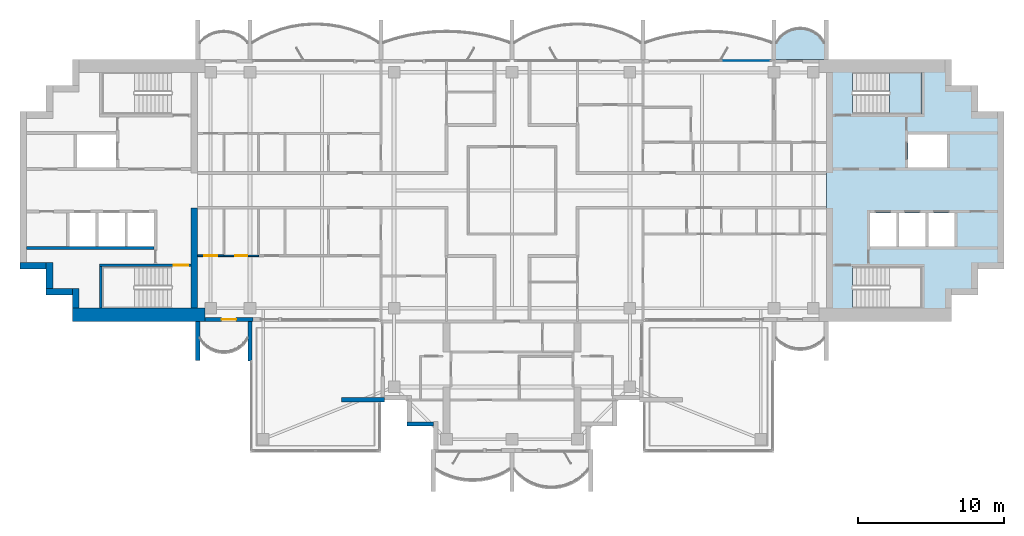
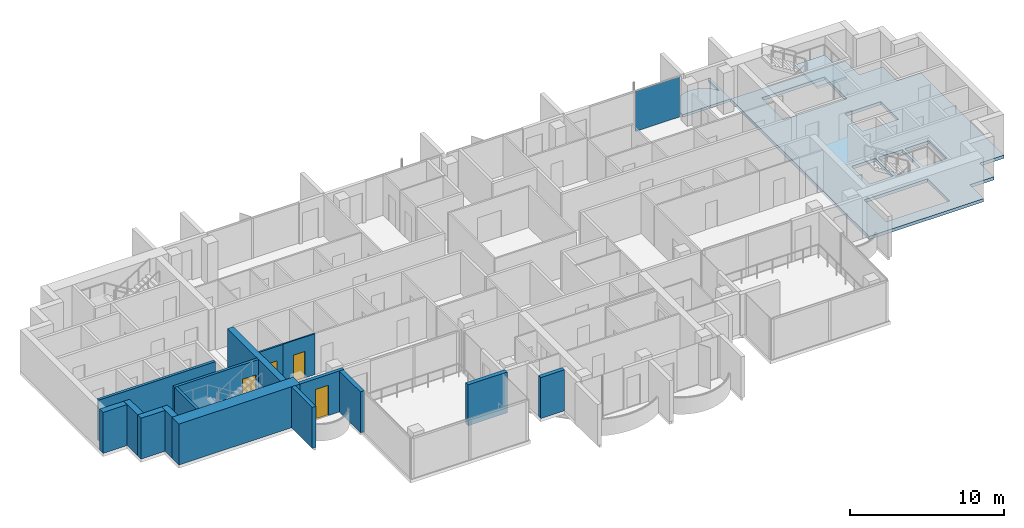
# One storey, part 6 of 16: 16 walls, 4 doors, 3 slabs, 1 plate, 4 openings, 2 elements without a shape of their own.
"""IFC4 building model written with IfcOpenShell, lengths in metres."""

from ifc_helpers import new_model, si_unit, direction, frame, frame_2d, origin, origin_2d, place, context, subcontext, project, spatial, polyline, rectangle, outline, extrude, material, layer, layer_set, type_object, element, fill, aggregate, save


model = new_model("IFC4")

# Units and contexts
model_context = context("Model", 3, precision=1e-05, world=origin(), true_north=direction((0.0, 1.0)))
body_context = subcontext(model_context, "Body", "Model", "MODEL_VIEW")
ifc_project = project(units=[si_unit("LENGTHUNIT", "METRE"), si_unit("AREAUNIT", "SQUARE_METRE"), si_unit("VOLUMEUNIT", "CUBIC_METRE"), si_unit("PLANEANGLEUNIT", "RADIAN"), si_unit("MASSUNIT", "GRAM", prefix="KILO")], contexts=[model_context])

# Site, building, storey
site_placement = place(None, origin())
site = spatial("IfcSite", under=ifc_project, at=site_placement, CompositionType="ELEMENT")
building_placement = place(site_placement, origin())
building = spatial("IfcBuilding", under=site, at=building_placement, Name="Perihelion Cross Residences", CompositionType="ELEMENT")
storey_placement = place(building_placement, frame((0.0, 0.0, 274.5)))
storey = spatial("IfcBuildingStorey", under=building, at=storey_placement, Name="L70", CompositionType="ELEMENT", Elevation=274.5)

# Slab
ifc_material_1 = material(Name="Concrete C40/50", Category="concrete")
ifc_layer_1 = layer(ifc_material_1, 0.199951171875)
ifc_layer_set_1 = layer_set([ifc_layer_1], Name="Balcony slab 200")
slab_type_1 = type_object("IfcSlabType", Name="Balcony slab 200", PredefinedType="FLOOR", material=ifc_layer_set_1)
slab_1_placement = place(storey_placement, frame((0.0, 0.0, -0.199951171875)))
element("IfcSlab", 1, at=slab_1_placement, inside=storey, type_object=slab_type_1, Name="Slab BK1 L70 east side north bay 1 balcony", PredefinedType="FLOOR", context=body_context, shape_type="SweptSolid", body=[
    extrude(outline(polyline([(21.60009765625, 9.0), (18.0, 9.0), (18.0, 11.699951171875), (18.14990234375, 11.699951171875), (18.14990234375, 10.199951171875), (18.425048828125, 10.568603515625), (18.699951171875, 10.806396484375), (18.97509765625, 10.96875), (19.25, 11.07568359375), (19.52490234375, 11.136962890625), (19.800048828125, 11.156982421875), (20.074951171875, 11.136962890625), (20.35009765625, 11.07568359375), (20.625, 10.96875), (20.89990234375, 10.806396484375), (21.175048828125, 10.568603515625), (21.449951171875, 10.199951171875), (21.449951171875, 11.699951171875), (21.60009765625, 11.699951171875), (21.60009765625, 9.0)])), origin(), (0.0, 0.0, 1.0), 0.199951171875),
])

# Curtain wall, plate
ifc_material_2 = material(Name="Bronze anodised aluminium, tinted glazing", Category="aluminium")
curtain_wall_type = type_object("IfcCurtainWallType", Name="CW1", PredefinedType="NOTDEFINED", material=ifc_material_2)
curtain_wall_placement = place(storey_placement, origin())
curtain_wall = element("IfcCurtainWall", 2, at=curtain_wall_placement, inside=storey, type_object=curtain_wall_type, Name="Curtain wall CW1 L70 east side north bay 2", PredefinedType="NOTDEFINED")
ifc_material_3 = material(Name="Tinted laminated glass", Category="glass")
ifc_layer_2 = layer(ifc_material_3, 0.028076171875)
ifc_layer_set_2 = layer_set([ifc_layer_2], Name="CW1 panel")
plate_type = type_object("IfcPlateType", Name="CW1 panel", PredefinedType="CURTAIN_PANEL", material=ifc_layer_set_2)
plate_placement = place(storey_placement, frame((16.06005859375, 8.89990234375, 0.0), z_axis=(0.0, 0.0, 1.0), x_axis=(-1.0, 0.0, 0.0)))
plate = element("IfcPlate", 3, at=plate_placement, type_object=plate_type, Name="CW1 panel 1", PredefinedType="CURTAIN_PANEL", context=body_context, shape_type="SweptSolid", body=[
    extrude(rectangle(XDim=3.360107421875, YDim=0.028076171875, at=origin_2d()), origin(), (0.0, 0.0, 1.0), 3.18994140625),
])
aggregate(curtain_wall, [plate])

# Slab
ifc_material_4 = material(Name="Concrete C40/50", Category="concrete")
ifc_layer_3 = layer(ifc_material_4, 0.25)
ifc_layer_set_3 = layer_set([ifc_layer_3], Name="Core floor slab 250")
slab_type_2 = type_object("IfcSlabType", Name="Core floor slab 250", PredefinedType="FLOOR", material=ifc_layer_set_3)
slab_2_placement = place(storey_placement, frame((0.0, 0.0, -0.25)))
element("IfcSlab", 4, at=slab_2_placement, inside=storey, type_object=slab_type_2, Name="East core floor slab", PredefinedType="FLOOR", context=body_context, shape_type="SweptSolid", body=[
    extrude(outline(polyline([(30.199951171875, 7.199951171875), (32.0, 7.199951171875), (32.0, 5.39990234375), (33.800048828125, 5.39990234375), (33.800048828125, -5.39990234375), (32.0, -5.39990234375), (32.0, -7.199951171875), (30.199951171875, -7.199951171875), (30.199951171875, -9.0), (21.60009765625, -9.0), (21.60009765625, 9.0), (30.199951171875, 9.0), (30.199951171875, 7.199951171875)]), holes=[polyline([(28.14990234375, -8.10009765625), (28.14990234375, -5.25), (23.405029296875, -5.25), (23.405029296875, -8.10009765625), (28.14990234375, -8.10009765625)]), polyline([(24.60009765625, -1.550048828125), (24.60009765625, -3.85009765625), (26.39990234375, -3.85009765625), (26.39990234375, -1.550048828125), (24.60009765625, -1.550048828125)]), polyline([(26.60009765625, -1.550048828125), (26.60009765625, -3.85009765625), (28.39990234375, -3.85009765625), (28.39990234375, -1.550048828125), (26.60009765625, -1.550048828125)]), polyline([(28.60009765625, -3.85009765625), (30.39990234375, -3.85009765625), (30.39990234375, -1.550048828125), (28.60009765625, -1.550048828125), (28.60009765625, -3.85009765625)]), polyline([(27.199951171875, 3.85009765625), (27.199951171875, 1.550048828125), (29.89990234375, 1.550048828125), (29.89990234375, 3.85009765625), (27.199951171875, 3.85009765625)]), polyline([(23.405029296875, 5.25), (28.14990234375, 5.25), (28.14990234375, 8.10009765625), (23.405029296875, 8.10009765625), (23.405029296875, 5.25)])]), origin(), (0.0, 0.0, 1.0), 0.25),
])

# Stair, slab
ifc_material_5 = material(Name="Concrete C40/50", Category="concrete")
stair_type = type_object("IfcStairType", Name="Exit stair, half-turn", PredefinedType="HALF_TURN_STAIR", material=ifc_material_5)
stair_placement = place(storey_placement, origin())
stair = element("IfcStair", 5, at=stair_placement, inside=storey, type_object=stair_type, Name="L70 East core exit stair 1", PredefinedType="HALF_TURN_STAIR")
ifc_material_6 = material(Name="Concrete C40/50", Category="concrete")
ifc_layer_4 = layer(ifc_material_6, 0.199951171875)
ifc_layer_set_4 = layer_set([ifc_layer_4], Name="Exit stair landing 200")
slab_type_3 = type_object("IfcSlabType", Name="Exit stair landing 200", PredefinedType="LANDING", material=ifc_layer_set_4)
slab_3_placement = place(storey_placement, frame((0.0, 0.0, 1.550048828125)))
slab_3 = element("IfcSlab", 6, at=slab_3_placement, type_object=slab_type_3, Name="ST-E1 landing 1", PredefinedType="LANDING", context=body_context, shape_type="SweptSolid", body=[
    extrude(outline(polyline([(25.919921875, 5.25), (28.14990234375, 5.25), (28.14990234375, 8.10009765625), (25.919921875, 8.10009765625), (25.919921875, 5.25)])), origin(), (0.0, 0.0, 1.0), 0.199951171875),
])
aggregate(stair, [slab_3])

# Wall, opening, door
ifc_material_7 = material(Name="Concrete C30/37, bronze-clad", Category="concrete")
ifc_layer_5 = layer(ifc_material_7, 0.25)
ifc_layer_set_5 = layer_set([ifc_layer_5], Name="Bronze-clad pier wall 250")
wall_type_1 = type_object("IfcWallType", Name="Bronze-clad pier wall 250", PredefinedType="SOLIDWALL", material=ifc_layer_set_5)
wall_1_placement = place(storey_placement, frame((-21.10009765625, -8.875, 0.0), z_axis=(0.0, 0.0, 1.0), x_axis=(1.0, 0.0, 0.0)))
wall_1 = element("IfcWall", 7, at=wall_1_placement, inside=storey, type_object=wall_type_1, Name="Wall FW1 L70 west side south bay 1 pier", PredefinedType="SOLIDWALL", context=body_context, shape_type="SweptSolid", body=[
    extrude(rectangle(XDim=3.300048828125, YDim=0.25, at=frame_2d((1.64990234375, 0.0))), origin(), (0.0, 0.0, 1.0), 3.25),
])
opening_1_placement = place(wall_1_placement, frame((1.14990234375, 0.0, 0.0)))
opening_1 = element("IfcOpeningElement", 8, at=opening_1_placement, cuts=wall_1, Name="Opening L70.E07", PredefinedType="OPENING", context=body_context, shape_type="SweptSolid", body=[
    extrude(rectangle(XDim=1.0, YDim=2.39990234375, at=frame_2d((0.5, 1.199951171875))), frame((0.0, 0.135009765625, 0.0), z_axis=(0.0, -1.0, 0.0), x_axis=(1.0, 0.0, 0.0)), (0.0, 0.0, 1.0), 0.27001953125),
])
ifc_material_8 = material(Name="Bronze anodised aluminium, glazed", Category="aluminium")
door_type_1 = type_object("IfcDoorType", Name="Balcony door 1000 x 2400", OperationType="NOTDEFINED", PredefinedType="DOOR", material=ifc_material_8)
door_1_placement = place(opening_1_placement, origin())
door_1 = element("IfcDoor", 9, at=door_1_placement, inside=storey, type_object=door_type_1, Name="Door L70.E07 west side south bay 1", OperationType="SINGLE_SWING_LEFT", OverallHeight=2.39990234375, OverallWidth=1.0, PredefinedType="DOOR", context=body_context, shape_type="SweptSolid", body=[
    extrude(rectangle(XDim=1.0, YDim=2.39990234375, at=frame_2d((0.5, 1.199951171875))), frame((0.0, 0.02490234375, 0.0), z_axis=(0.0, -1.0, 0.0), x_axis=(1.0, 0.0, 0.0)), (0.0, 0.0, 1.0), 0.050048828125),
])
fill(opening_1, door_1)

# Walls
ifc_material_9 = material(Name="Concrete C30/37, bronze-clad", Category="concrete")
ifc_layer_6 = layer(ifc_material_9, 0.300048828125)
ifc_layer_set_6 = layer_set([ifc_layer_6], Name="Bronze-clad serration wall 300")
wall_type_2 = type_object("IfcWallType", Name="Bronze-clad serration wall 300", PredefinedType="SOLIDWALL", material=ifc_layer_set_6)
wall_2_placement = place(storey_placement, frame((-7.199951171875, -16.050048828125, 0.0), z_axis=(0.0, 0.0, 1.0), x_axis=(1.0, 0.0, 0.0)))
element("IfcWall", 10, at=wall_2_placement, inside=storey, type_object=wall_type_2, Name="Wall SR1 L70 south corner south-west 3", PredefinedType="SOLIDWALL", context=body_context, shape_type="SweptSolid", body=[
    extrude(rectangle(XDim=1.800048828125, YDim=0.300048828125, at=frame_2d((0.89990234375, 0.0))), origin(), (0.0, 0.0, 1.0), 3.25),
])
ifc_material_10 = material(Name="Concrete C60/75", Category="concrete")
ifc_layer_7 = layer(ifc_material_10, 0.449951171875)
ifc_layer_set_7 = layer_set([ifc_layer_7], Name="Core wall, inner 450")
wall_type_3 = type_object("IfcWallType", Name="Core wall, inner 450", PredefinedType="SHEAR", material=ifc_layer_set_7)
wall_3_placement = place(storey_placement, frame((-21.824951171875, -8.10009765625, 0.0), z_axis=(0.0, 0.0, 1.0), x_axis=(0.0, 1.0, 0.0)))
element("IfcWall", 11, at=wall_3_placement, inside=storey, type_object=wall_type_3, Name="West core core wall, inner", PredefinedType="SHEAR", context=body_context, shape_type="SweptSolid", body=[
    extrude(rectangle(XDim=6.900146484375, YDim=0.449951171875, at=frame_2d((3.4501953125, 0.0))), origin(), (0.0, 0.0, 1.0), 3.25),
])
ifc_material_11 = material(Name="Concrete C60/75", Category="concrete")
ifc_layer_8 = layer(ifc_material_11, 0.449951171875)
ifc_layer_set_8 = layer_set([ifc_layer_8], Name="Core wall, outer 450")
wall_type_4 = type_object("IfcWallType", Name="Core wall, outer 450", PredefinedType="SHEAR", material=ifc_layer_set_8)
wall_4_placement = place(storey_placement, frame((-29.97509765625, -8.10009765625, 0.0), z_axis=(0.0, 0.0, 1.0), x_axis=(0.0, 1.0, 0.0)))
element("IfcWall", 12, at=wall_4_placement, inside=storey, type_object=wall_type_4, Name="West core core wall, outer", PredefinedType="SHEAR", context=body_context, shape_type="SweptSolid", body=[
    extrude(rectangle(XDim=1.35009765625, YDim=0.449951171875, at=frame_2d((0.675048828125, 0.0))), origin(), (0.0, 0.0, 1.0), 3.25),
])
for number, where, z_axis, x_axis, name in (
    (13, (-32.0, -6.97509765625, 0.0), (0.0, 0.0, 1.0), (1.0, 0.0, 0.0), "West core core wall, outer"),
    (14, (-31.77490234375, -6.75, 0.0), (0.0, 0.0, 1.0), (0.0, 1.0, 0.0), "West core core wall, outer"),
    (15, (-33.800048828125, -5.175048828125, 0.0), (0.0, 0.0, 1.0), (1.0, 0.0, 0.0), "West core core wall, outer"),
):
    element("IfcWall", number, at=place(storey_placement, frame(where, z_axis=z_axis, x_axis=x_axis)), inside=storey, type_object=wall_type_4, Name=name, PredefinedType="SHEAR", context=body_context, shape_type="SweptSolid", body=[
        extrude(rectangle(XDim=1.800048828125, YDim=0.449951171875, at=frame_2d((0.89990234375, 0.0))), origin(), (0.0, 0.0, 1.0), 3.25),
    ])
ifc_material_12 = material(Name="Concrete C60/75", Category="concrete")
ifc_layer_9 = layer(ifc_material_12, 0.89990234375)
ifc_layer_set_9 = layer_set([ifc_layer_9], Name="Core wall, outer 900")
wall_type_5 = type_object("IfcWallType", Name="Core wall, outer 900", PredefinedType="SHEAR", material=ifc_layer_set_9)
wall_5_placement = place(storey_placement, frame((-30.199951171875, -8.550048828125, 0.0), z_axis=(0.0, 0.0, 1.0), x_axis=(1.0, 0.0, 0.0)))
element("IfcWall", 16, at=wall_5_placement, inside=storey, type_object=wall_type_5, Name="West core core wall, outer", PredefinedType="SHEAR", context=body_context, shape_type="SweptSolid", body=[
    extrude(rectangle(XDim=9.099853515625, YDim=0.89990234375, at=frame_2d((4.5498046875, 0.0))), origin(), (0.0, 0.0, 1.0), 3.25),
])

# Wall, opening, door
ifc_material_13 = material(Name="Plasterboard partition")
ifc_layer_10 = layer(ifc_material_13, 0.1201171875)
ifc_layer_set_10 = layer_set([ifc_layer_10], Name="Partition wall 120")
wall_type_6 = type_object("IfcWallType", Name="Partition wall 120", PredefinedType="PARTITIONING", material=ifc_layer_set_10)
wall_6_placement = place(storey_placement, frame((-19.800048828125, -4.5, 0.0), z_axis=(0.0, 0.0, 1.0), x_axis=(-1.0, 0.0, 0.0)))
wall_6 = element("IfcWall", 17, at=wall_6_placement, inside=storey, type_object=wall_type_6, Name="Partition L70 W064", PredefinedType="PARTITIONING", context=body_context, shape_type="SweptSolid", body=[
    extrude(rectangle(XDim=1.800048828125, YDim=0.1201171875, at=frame_2d((0.89990234375, 0.0))), origin(), (0.0, 0.0, 1.0), 3.25),
])
opening_2_placement = place(wall_6_placement, frame((0.449951171875, 0.0, 0.0)))
opening_2 = element("IfcOpeningElement", 18, at=opening_2_placement, cuts=wall_6, Name="Opening L70.A29", PredefinedType="OPENING", context=body_context, shape_type="SweptSolid", body=[
    extrude(rectangle(XDim=0.89990234375, YDim=2.10009765625, at=frame_2d((0.449951171875, 1.050048828125))), frame((0.0, 0.070068359375, 0.0), z_axis=(0.0, -1.0, 0.0), x_axis=(1.0, 0.0, 0.0)), (0.0, 0.0, 1.0), 0.14013671875),
])
ifc_material_14 = material(Name="Timber door leaf", Category="wood")
door_type_2 = type_object("IfcDoorType", Name="Interior room door 900 x 2100", OperationType="SINGLE_SWING_LEFT", PredefinedType="DOOR", material=ifc_material_14)
door_2_placement = place(opening_2_placement, origin())
door_2 = element("IfcDoor", 19, at=door_2_placement, inside=storey, type_object=door_type_2, Name="Door L70.A29", OperationType="SINGLE_SWING_LEFT", OverallHeight=2.10009765625, OverallWidth=0.89990234375, PredefinedType="DOOR", context=body_context, shape_type="SweptSolid", body=[
    extrude(rectangle(XDim=0.89990234375, YDim=2.10009765625, at=frame_2d((0.449951171875, 1.050048828125))), frame((0.0, 0.02490234375, 0.0), z_axis=(0.0, -1.0, 0.0), x_axis=(1.0, 0.0, 0.0)), (0.0, 0.0, 1.0), 0.050048828125),
])
fill(opening_2, door_2)

# Walls
ifc_material_15 = material(Name="Precast concrete C50/60", Category="concrete")
ifc_layer_11 = layer(ifc_material_15, 0.300048828125)
ifc_layer_set_11 = layer_set([ifc_layer_11], Name="Precast concrete C50/60 blade wall 300")
wall_type_7 = type_object("IfcWallType", Name="Precast concrete C50/60 blade wall 300", PredefinedType="SOLIDWALL", material=ifc_layer_set_11)
wall_7_placement = place(storey_placement, frame((-21.60009765625, -9.0, 0.0), z_axis=(0.0, 0.0, 1.0), x_axis=(0.0, -1.0, 0.0)))
element("IfcWall", 20, at=wall_7_placement, inside=storey, type_object=wall_type_7, Name="Wall BL1 L70 no. 3", PredefinedType="SOLIDWALL", context=body_context, shape_type="SweptSolid", body=[
    extrude(rectangle(XDim=2.699951171875, YDim=0.300048828125, at=frame_2d((1.35009765625, 0.0))), origin(), (0.0, 0.0, 1.0), 3.25),
])
wall_8_placement = place(storey_placement, frame((-18.0, -9.0, 0.0), z_axis=(0.0, 0.0, 1.0), x_axis=(0.0, -1.0, 0.0)))
element("IfcWall", 21, at=wall_8_placement, inside=storey, type_object=wall_type_7, Name="Wall BL1 L70 no. 1", PredefinedType="SOLIDWALL", context=body_context, shape_type="SweptSolid", body=[
    extrude(rectangle(XDim=2.739990234375, YDim=0.300048828125, at=frame_2d((1.3701171875, 0.0))), origin(), (0.0, 0.0, 1.0), 3.25),
])
wall_9_placement = place(storey_placement, frame((-8.75, -14.39990234375, 0.0), z_axis=(0.0, 0.0, 1.0), x_axis=(-1.0, 0.0, 0.0)))
element("IfcWall", 22, at=wall_9_placement, inside=storey, type_object=wall_type_7, Name="Wall BL1 L70 no. 6", PredefinedType="SOLIDWALL", context=body_context, shape_type="SweptSolid", body=[
    extrude(rectangle(XDim=2.949951171875, YDim=0.300048828125, at=frame_2d((1.47509765625, 0.0))), origin(), (0.0, 0.0, 1.0), 3.25),
])
ifc_material_16 = material(Name="Concrete C50/60", Category="concrete")
ifc_layer_12 = layer(ifc_material_16, 0.199951171875)
ifc_layer_set_12 = layer_set([ifc_layer_12], Name="Shaft wall 200")
wall_type_8 = type_object("IfcWallType", Name="Shaft wall 200", PredefinedType="SOLIDWALL", material=ifc_layer_set_12)
wall_10_placement = place(storey_placement, frame((-33.35009765625, -3.949951171875, 0.0), z_axis=(0.0, 0.0, 1.0), x_axis=(1.0, 0.0, 0.0)))
element("IfcWall", 23, at=wall_10_placement, inside=storey, type_object=wall_type_8, Name="West core shaft wall", PredefinedType="SOLIDWALL", context=body_context, shape_type="SweptSolid", body=[
    extrude(rectangle(XDim=8.75, YDim=0.199951171875, at=frame_2d((4.375, 0.0))), origin(), (0.0, 0.0, 1.0), 3.25),
])

# Wall, opening, door
ifc_material_17 = material(Name="Concrete C50/60", Category="concrete")
ifc_layer_13 = layer(ifc_material_17, 0.199951171875)
ifc_layer_set_13 = layer_set([ifc_layer_13], Name="Stair wall 200")
wall_type_9 = type_object("IfcWallType", Name="Stair wall 200", PredefinedType="SOLIDWALL", material=ifc_layer_set_13)
wall_11_placement = place(storey_placement, frame((-28.35009765625, -5.14990234375, 0.0), z_axis=(0.0, 0.0, 1.0), x_axis=(1.0, 0.0, 0.0)))
wall_11 = element("IfcWall", 24, at=wall_11_placement, inside=storey, type_object=wall_type_9, Name="West core stair wall", PredefinedType="SOLIDWALL", context=body_context, shape_type="SweptSolid", body=[
    extrude(rectangle(XDim=6.300048828125, YDim=0.199951171875, at=frame_2d((3.14990234375, 0.0))), origin(), (0.0, 0.0, 1.0), 3.25),
])
opening_3_placement = place(wall_11_placement, frame((5.10009765625, 0.0, 0.0)))
opening_3 = element("IfcOpeningElement", 25, at=opening_3_placement, cuts=wall_11, Name="Opening L70.C17", PredefinedType="OPENING", context=body_context, shape_type="SweptSolid", body=[
    extrude(rectangle(XDim=1.0, YDim=2.10009765625, at=frame_2d((0.5, 1.050048828125))), frame((0.0, 0.10986328125, 0.0), z_axis=(0.0, -1.0, 0.0), x_axis=(1.0, 0.0, 0.0)), (0.0, 0.0, 1.0), 0.219970703125),
])
ifc_material_18 = material(Name="Steel, powder coated", Category="steel")
door_type_3 = type_object("IfcDoorType", Name="Stair door 1000", OperationType="SINGLE_SWING_LEFT", PredefinedType="DOOR", material=ifc_material_18)
door_3_placement = place(opening_3_placement, origin())
door_3 = element("IfcDoor", 26, at=door_3_placement, inside=storey, type_object=door_type_3, Name="West core stair door", OperationType="SINGLE_SWING_LEFT", OverallHeight=2.10009765625, OverallWidth=1.0, PredefinedType="DOOR", context=body_context, shape_type="SweptSolid", body=[
    extrude(rectangle(XDim=1.0, YDim=2.10009765625, at=frame_2d((0.5, 1.050048828125))), frame((0.0, 0.02490234375, 0.0), z_axis=(0.0, -1.0, 0.0), x_axis=(1.0, 0.0, 0.0)), (0.0, 0.0, 1.0), 0.050048828125),
])
fill(opening_3, door_3)

# Wall
wall_12_placement = place(storey_placement, frame((-28.25, -8.10009765625, 0.0), z_axis=(0.0, 0.0, 1.0), x_axis=(0.0, 1.0, 0.0)))
element("IfcWall", 27, at=wall_12_placement, inside=storey, type_object=wall_type_9, Name="West core stair wall", PredefinedType="SOLIDWALL", context=body_context, shape_type="SweptSolid", body=[
    extrude(rectangle(XDim=2.85009765625, YDim=0.199951171875, at=frame_2d((1.425048828125, 0.0))), origin(), (0.0, 0.0, 1.0), 3.25),
])

# Wall, opening, door
ifc_material_19 = material(Name="Plasterboard partition")
ifc_layer_14 = layer(ifc_material_19, 0.10009765625)
ifc_layer_set_14 = layer_set([ifc_layer_14], Name="Wet room wall 100")
wall_type_10 = type_object("IfcWallType", Name="Wet room wall 100", PredefinedType="PARTITIONING", material=ifc_layer_set_14)
wall_13_placement = place(storey_placement, frame((-17.39990234375, -4.5, 0.0), z_axis=(0.0, 0.0, 1.0), x_axis=(-1.0, 0.0, 0.0)))
wall_13 = element("IfcWall", 28, at=wall_13_placement, inside=storey, type_object=wall_type_10, Name="Partition L70 W063", PredefinedType="PARTITIONING", context=body_context, shape_type="SweptSolid", body=[
    extrude(rectangle(XDim=2.400146484375, YDim=0.10009765625, at=frame_2d((1.2001953125, 0.0))), origin(), (0.0, 0.0, 1.0), 3.25),
])
opening_4_placement = place(wall_13_placement, frame((0.77490234375, 0.0, 0.0)))
opening_4 = element("IfcOpeningElement", 29, at=opening_4_placement, cuts=wall_13, Name="Opening L70.A27", PredefinedType="OPENING", context=body_context, shape_type="SweptSolid", body=[
    extrude(rectangle(XDim=0.85009765625, YDim=2.10009765625, at=frame_2d((0.425048828125, 1.050048828125))), frame((0.0, 0.06005859375, 0.0), z_axis=(0.0, -1.0, 0.0), x_axis=(1.0, 0.0, 0.0)), (0.0, 0.0, 1.0), 0.1201171875),
])
ifc_material_20 = material(Name="Timber door leaf", Category="wood")
door_type_4 = type_object("IfcDoorType", Name="Interior bathroom door 850 x 2100", OperationType="SINGLE_SWING_LEFT", PredefinedType="DOOR", material=ifc_material_20)
door_4_placement = place(opening_4_placement, origin())
door_4 = element("IfcDoor", 30, at=door_4_placement, inside=storey, type_object=door_type_4, Name="Door L70.A27", OperationType="SINGLE_SWING_RIGHT", OverallHeight=2.10009765625, OverallWidth=0.85009765625, PredefinedType="DOOR", context=body_context, shape_type="SweptSolid", body=[
    extrude(rectangle(XDim=0.85009765625, YDim=2.10009765625, at=frame_2d((0.425048828125, 1.050048828125))), frame((0.0, 0.02490234375, 0.0), z_axis=(0.0, -1.0, 0.0), x_axis=(1.0, 0.0, 0.0)), (0.0, 0.0, 1.0), 0.050048828125),
])
fill(opening_4, door_4)

save(model, "model.ifc")
